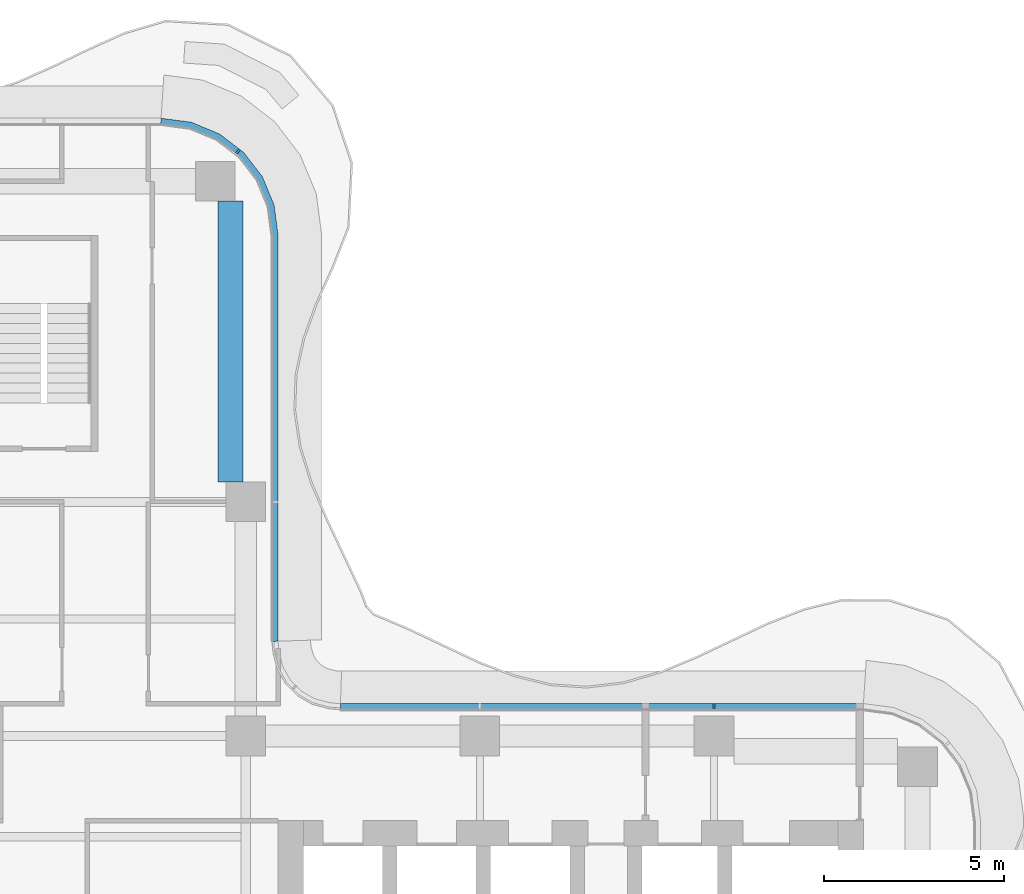
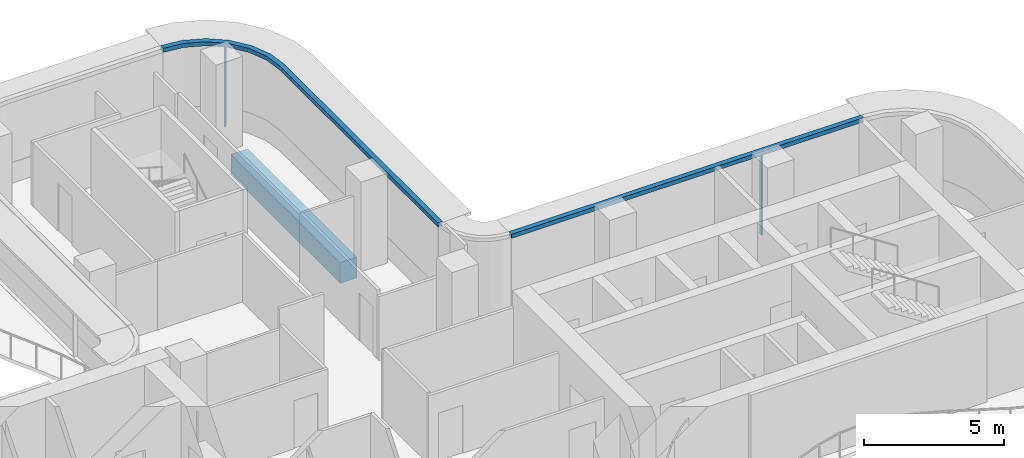
# One storey, part 7 of 17: 4 members, 1 beam, 2 elements without a shape of their own.
"""IFC4 building model written with IfcOpenShell, lengths in metres."""

from ifc_helpers import new_model, si_unit, direction, frame, origin, origin_2d, place, context, subcontext, project, spatial, polyline, rectangle, outline, extrude, source, transform, mapped, material, layer, layer_set, material_profile, profile_set, type_object, element, aggregate, save


model = new_model("IFC4")

# Units and contexts
model_context = context("Model", 3, precision=1e-05, world=origin(), true_north=direction((0.0, 1.0)))
body_context = subcontext(model_context, "Body", "Model", "MODEL_VIEW")
ifc_project = project(units=[si_unit("LENGTHUNIT", "METRE"), si_unit("AREAUNIT", "SQUARE_METRE"), si_unit("VOLUMEUNIT", "CUBIC_METRE"), si_unit("PLANEANGLEUNIT", "RADIAN"), si_unit("MASSUNIT", "GRAM", prefix="KILO")], contexts=[model_context])

# Site, building, storey
site_placement = place(None, origin())
site = spatial("IfcSite", under=ifc_project, at=site_placement, CompositionType="ELEMENT")
building_placement = place(site_placement, origin())
building = spatial("IfcBuilding", under=site, at=building_placement, Name="Trellis Farm Tower", CompositionType="ELEMENT")
storey_placement = place(building_placement, frame((0.0, 0.0, 236.300048828125)))
storey = spatial("IfcBuildingStorey", under=building, at=storey_placement, Name="L52", CompositionType="ELEMENT", Elevation=236.300048828125)

# Beam
ifc_material_1 = material(Name="Concrete C60/75", Category="concrete")
ifc_material_profile_1 = material_profile(ifc_material_1, rectangle(XDim=0.699951171875, YDim=0.89990234375, at=origin_2d()), Name="RC spandrel beam 700x900 C60/75")
ifc_profile_set_1 = profile_set([ifc_material_profile_1], Name="Concrete C60/75")
beam_type = type_object("IfcBeamType", Name="RC spandrel beam 700x900 C60/75", PredefinedType="SPANDREL", material=ifc_profile_set_1)
shared_shape_1 = source(origin(), body_context, "Body", "SweptSolid", [
    extrude(rectangle(XDim=0.699951171875, YDim=0.89990234375, at=origin_2d()), origin(), (0.0, 0.0, 1.0), 7.800048828125),
])
beam_placement = place(storey_placement, frame((5.175048828125, 12.64990234375, -0.650146484375), z_axis=(0.0, 1.0, 0.0), x_axis=(-1.0, 0.0, 0.0)))
element("IfcBeam", 1, at=beam_placement, inside=storey, type_object=beam_type, Name="Girder", PredefinedType="SPANDREL", context=body_context, shape_type="MappedRepresentation", body=[
    mapped(shared_shape_1, transform((0.0, 0.0, 0.0))),
])

# Curtain wall, member
ifc_material_2 = material(Name="Aluminium and glass curtain wall", Category="aluminium")
ifc_layer_1 = layer(ifc_material_2, 0.18994140625)
ifc_layer_set_1 = layer_set([ifc_layer_1], Name="RIBBON CURTAIN WALL CW1")
curtain_wall_type = type_object("IfcCurtainWallType", Name="RIBBON CURTAIN WALL CW1", PredefinedType="NOTDEFINED", material=ifc_layer_set_1)
placement_1 = place(storey_placement, origin())
curtain_wall_1 = element("IfcCurtainWall", 2, at=placement_1, inside=storey, type_object=curtain_wall_type, Name="CW1 008", PredefinedType="NOTDEFINED")
ifc_material_3 = material(Name="Aluminium extrusion 6063-T6", Category="aluminium")
ifc_material_profile_2 = material_profile(ifc_material_3, rectangle(XDim=0.06005859375, YDim=0.14990234375, at=origin_2d()), Name="MULLION 60x150")
ifc_profile_set_2 = profile_set([ifc_material_profile_2], Name="Aluminium extrusion 6063-T6")
member_type_1 = type_object("IfcMemberType", Name="CW1 MULLION 60x150", PredefinedType="MULLION", material=ifc_profile_set_2)
shared_shape_2 = source(origin(), body_context, "Body", "SweptSolid", [
    extrude(rectangle(XDim=0.06005859375, YDim=0.14990234375, at=origin_2d()), origin(), (0.0, 0.0, 1.0), 3.52001953125),
])
member_1_placement = place(storey_placement, frame((18.60009765625, 6.425048828125, 0.0), z_axis=(0.0, 0.0, 1.0), x_axis=(-1.0, 0.0, 0.0)))
member_1 = element("IfcMember", 3, at=member_1_placement, type_object=member_type_1, Name="MU1 008-01", PredefinedType="MULLION", context=body_context, shape_type="MappedRepresentation", body=[
    mapped(shared_shape_2, transform((0.0, 0.0, 0.0))),
])

# Curtain wall, members
curtain_wall_2 = element("IfcCurtainWall", 4, at=placement_1, inside=storey, type_object=curtain_wall_type, Name="CW1 009", PredefinedType="NOTDEFINED")
member_2_placement = place(storey_placement, frame((5.385498046875, 21.828369140625, 0.0), z_axis=(0.0, 0.0, 1.0), x_axis=(-0.793353340291, 0.608761429009, 0.0)))
member_2 = element("IfcMember", 5, at=member_2_placement, type_object=member_type_1, Name="MU1 009-02", PredefinedType="MULLION", context=body_context, shape_type="MappedRepresentation", body=[
    mapped(shared_shape_2, transform((0.0, 0.0, 0.0))),
])
ifc_layer_2 = layer(ifc_material_3, 0.199951171875)
ifc_layer_set_2 = layer_set([ifc_layer_2], Name="Aluminium extrusion 6063-T6")
member_type_2 = type_object("IfcMemberType", Name="CW1 TRANSOM 200x180", PredefinedType="USERDEFINED", material=ifc_layer_set_2)
shared_shape_3 = source(origin(), body_context, "Body", "SweptSolid", [
    extrude(outline(polyline([(6.5, 8.2314453125), (6.5, 19.5), (6.38916015625, 20.341064453125), (6.064697265625, 21.125), (5.548095703125, 21.798095703125), (4.875, 22.314697265625), (4.091064453125, 22.63916015625), (3.25, 22.75), (3.23681640625, 22.550048828125), (4.0390625, 22.4443359375), (4.774169921875, 22.139892578125), (5.405517578125, 21.655517578125), (5.889892578125, 21.024169921875), (6.1943359375, 20.2890625), (6.300048828125, 19.48681640625), (6.300048828125, 8.224853515625), (6.5, 8.2314453125)])), origin(), (0.0, 0.0, 1.0), 0.179931640625),
])
placement_2 = place(storey_placement, frame((0.0, 0.0, 3.52001953125)))
member_3 = element("IfcMember", 6, at=placement_2, type_object=member_type_2, Name="TR1 009", ObjectType="TRANSOM", PredefinedType="USERDEFINED", context=body_context, shape_type="MappedRepresentation", body=[
    mapped(shared_shape_3, transform((0.0, 0.0, 0.0))),
])
aggregate(curtain_wall_2, [member_2, member_3])

# Member
shared_shape_4 = source(origin(), body_context, "Body", "SweptSolid", [
    extrude(outline(polyline([(22.75, 6.5), (8.2314453125, 6.5), (8.224853515625, 6.300048828125), (22.73681640625, 6.300048828125), (22.75, 6.5)])), origin(), (0.0, 0.0, 1.0), 0.179931640625),
])
member_4 = element("IfcMember", 7, at=placement_2, type_object=member_type_2, Name="TR1 008", ObjectType="TRANSOM", PredefinedType="USERDEFINED", context=body_context, shape_type="MappedRepresentation", body=[
    mapped(shared_shape_4, transform((0.0, 0.0, 0.0))),
])

aggregate(curtain_wall_1, [member_1, member_4])

save(model, "model.ifc")
